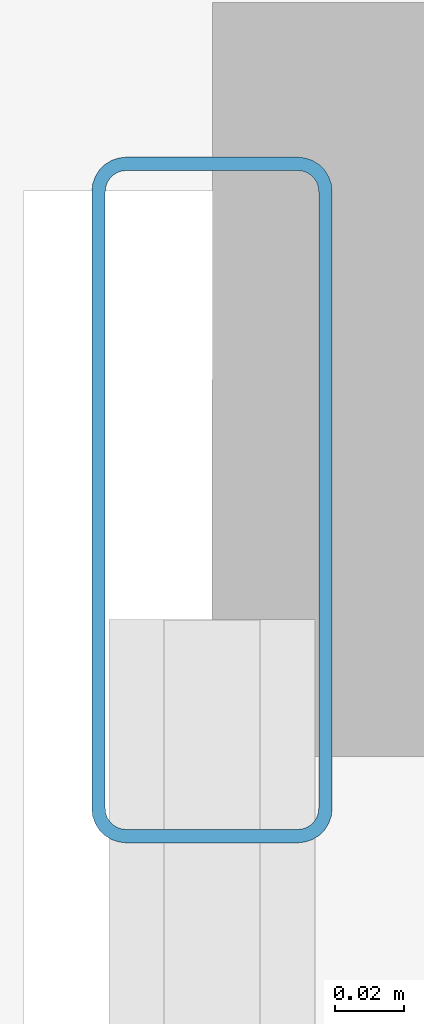
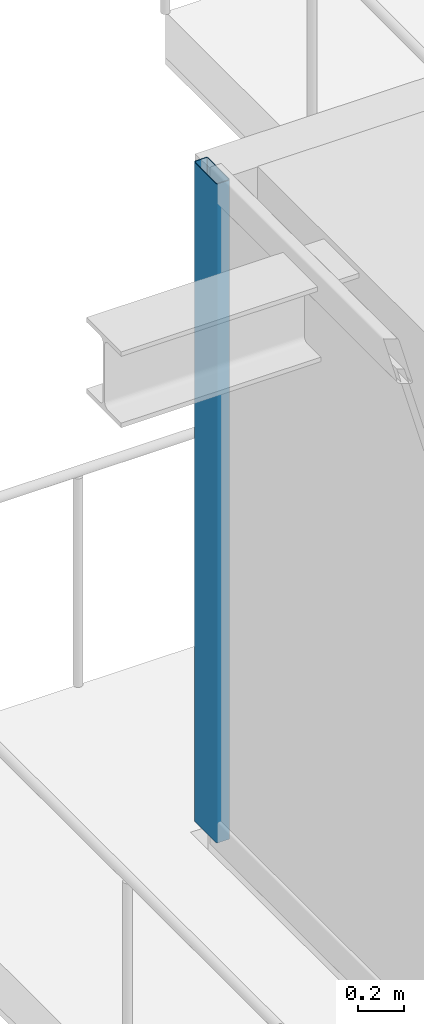
# One storey, part 18 of 39: 1 member, 1 element without a shape of its own.
"""IFC4 building model written with IfcOpenShell, lengths in metres."""

from ifc_helpers import new_model, si_unit, direction, frame, origin, origin_2d, place, context, subcontext, project, spatial, hollow_rectangle, extrude, source, transform, mapped, material, layer, layer_set, material_profile, profile_set, type_object, element, aggregate, save


model = new_model("IFC4")

# Units and contexts
model_context = context("Model", 3, precision=1e-05, world=origin(), true_north=direction((0.0, 1.0)))
body_context = subcontext(model_context, "Body", "Model", "MODEL_VIEW")
ifc_project = project(units=[si_unit("LENGTHUNIT", "METRE"), si_unit("AREAUNIT", "SQUARE_METRE"), si_unit("VOLUMEUNIT", "CUBIC_METRE"), si_unit("PLANEANGLEUNIT", "RADIAN"), si_unit("MASSUNIT", "GRAM", prefix="KILO")], contexts=[model_context])

# Site, building, storey
site_placement = place(None, origin())
site = spatial("IfcSite", under=ifc_project, at=site_placement, CompositionType="ELEMENT")
building_placement = place(site_placement, origin())
building = spatial("IfcBuilding", under=site, at=building_placement, Name="Serunith Strait Residences", CompositionType="ELEMENT")
storey_placement = place(building_placement, frame((0.0, 0.0, 64.199951171875)))
storey = spatial("IfcBuildingStorey", under=building, at=storey_placement, Name="L15", CompositionType="ELEMENT", Elevation=64.199951171875)

# Curtain wall, member
ifc_material = material(Name="Pale-Champagne Anodised Aluminium", Category="aluminium")
ifc_layer = layer(ifc_material, 0.199951171875, Name="Pale-Champagne Anodised Aluminium")
ifc_layer_set = layer_set([ifc_layer], Name="Pale-Champagne Anodised Aluminium")
curtain_wall_type = type_object("IfcCurtainWallType", Name="CW-SYS1", PredefinedType="NOTDEFINED", material=ifc_layer_set)
curtain_wall_placement = place(storey_placement, origin())
curtain_wall = element("IfcCurtainWall", 1, at=curtain_wall_placement, inside=storey, type_object=curtain_wall_type, Name="L15 W Unitised Fritted Curtain Wall", PredefinedType="NOTDEFINED")
ifc_material_profile = material_profile(ifc_material, hollow_rectangle(XDim=0.070068359375, YDim=0.199951171875, WallThickness=0.00390625, InnerFilletRadius=0.006103515625, OuterFilletRadius=0.010009765625, at=origin_2d()), Name="ALU 200x70x4")
ifc_profile_set = profile_set([ifc_material_profile], Name="Pale-Champagne Anodised Aluminium")
member_type = type_object("IfcMemberType", Name="CW-SYS1-MULL", PredefinedType="MULLION", material=ifc_profile_set)
shared_shape = source(origin(), body_context, "Body", "SweptSolid", [
    extrude(hollow_rectangle(XDim=0.070068359375, YDim=0.199951171875, WallThickness=0.00390625, InnerFilletRadius=0.006103515625, OuterFilletRadius=0.010009765625, at=origin_2d()), origin(), (0.0, 0.0, 1.0), 3.47509765625),
])
member_placement = place(storey_placement, frame((6.0, 41.764892578125, 0.0), z_axis=(0.0, 0.0, 1.0), x_axis=(1.0, 0.0, 0.0)))
member = element("IfcMember", 2, at=member_placement, type_object=member_type, Name="CW-1 mullion 1", PredefinedType="MULLION", context=body_context, shape_type="MappedRepresentation", body=[
    mapped(shared_shape, transform((0.0, 0.0, 0.0), scale=1.0)),
])
aggregate(curtain_wall, [member])

save(model, "model.ifc")
